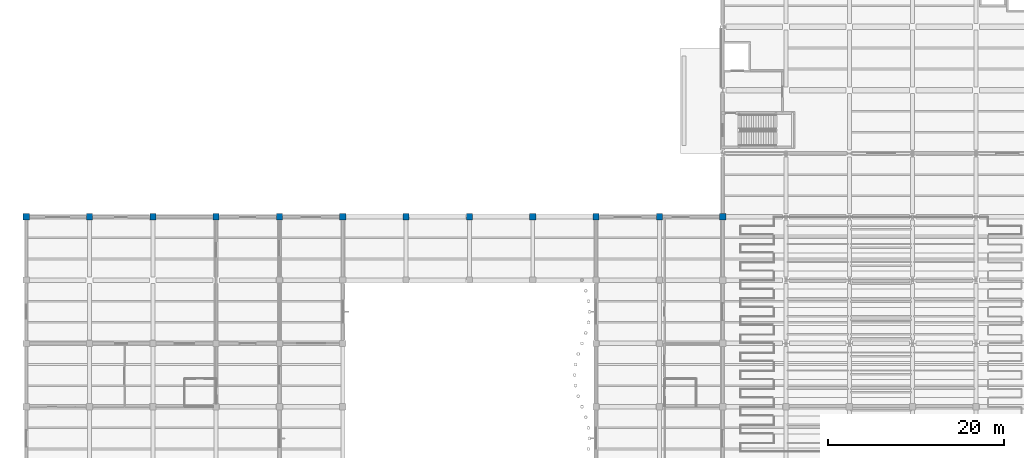
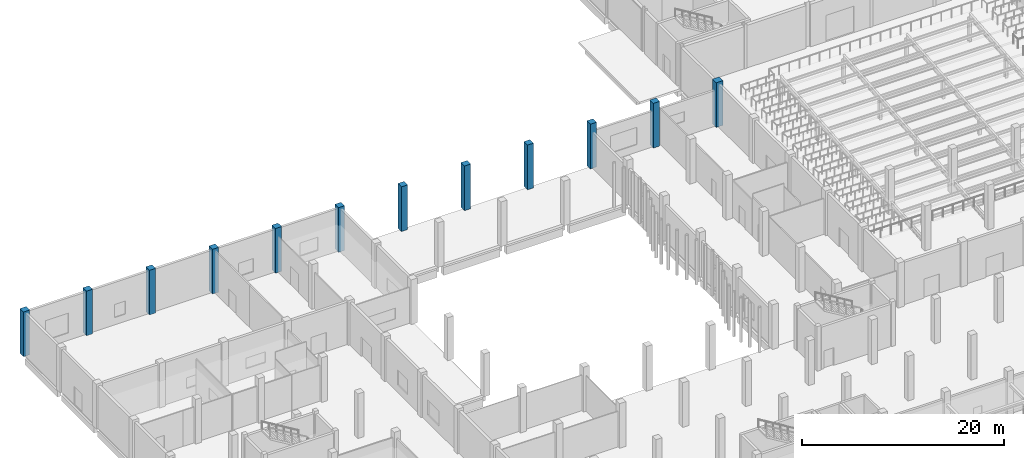
# One storey, part 8 of 46: 12 columns.
"""IFC4 building model written with IfcOpenShell, lengths in metres."""

from ifc_helpers import new_model, si_unit, direction, frame, origin, origin_2d, place, context, subcontext, project, spatial, rectangle, extrude, material, material_profile, profile_set, type_object, element, save


model = new_model("IFC4")

# Units and contexts
model_context = context("Model", 3, precision=1e-05, world=origin(), true_north=direction((0.0, 1.0)))
body_context = subcontext(model_context, "Body", "Model", "MODEL_VIEW")
ifc_project = project(units=[si_unit("LENGTHUNIT", "METRE"), si_unit("AREAUNIT", "SQUARE_METRE"), si_unit("VOLUMEUNIT", "CUBIC_METRE"), si_unit("PLANEANGLEUNIT", "RADIAN"), si_unit("MASSUNIT", "GRAM", prefix="KILO"), si_unit("THERMODYNAMICTEMPERATUREUNIT", "KELVIN"), si_unit("POWERUNIT", "WATT")], contexts=[model_context])

# Site, building, storey
site_placement = place(None, origin())
site = spatial("IfcSite", under=ifc_project, at=site_placement, CompositionType="ELEMENT")
building_placement = place(site_placement, origin())
building = spatial("IfcBuilding", under=site, at=building_placement, Name="Kaldorven Railside Theatre", CompositionType="ELEMENT")
storey_placement = place(building_placement, origin())
storey = spatial("IfcBuildingStorey", under=building, at=storey_placement, Name="L00", CompositionType="ELEMENT", Elevation=0.0)

# Columns
ifc_material = material(Name="Concrete C40/50", Category="concrete")
ifc_material_profile_1 = material_profile(ifc_material, rectangle(XDim=0.699951171875, YDim=0.699951171875, at=origin_2d()), Name="RC 700x700")
ifc_profile_set_1 = profile_set([ifc_material_profile_1], Name="Concrete C40/50")
column_type_1 = type_object("IfcColumnType", Name="COL-RC700", PredefinedType="COLUMN", material=ifc_profile_set_1)
for number, where, z_axis, x_axis, name in (
    (1, (8.0, 76.800048828125, 0.0), (0.0, 0.0, 1.0), (1.0, 0.0, 0.0), "L00 Column CG-L00-008-076"),
    (2, (15.199951171875, 76.800048828125, 0.0), (0.0, 0.0, 1.0), (1.0, 0.0, 0.0), "L00 Column CG-L00-015-076"),
    (3, (22.39990234375, 76.800048828125, 0.0), (0.0, 0.0, 1.0), (0.0, 1.0, 0.0), "L00 Column CG-L00-022-076"),
    (4, (29.60009765625, 76.800048828125, 0.0), (0.0, 0.0, 1.0), (1.0, 0.0, 0.0), "L00 Column CG-L00-029-076"),
    (5, (36.800048828125, 76.800048828125, 0.0), (0.0, 0.0, 1.0), (0.0, 1.0, 0.0), "L00 Column CG-L00-036-076"),
    (6, (44.0, 76.800048828125, 0.0), (0.0, 0.0, 1.0), (1.0, 0.0, 0.0), "L00 Column CG-L00-044-076"),
    (7, (51.199951171875, 76.800048828125, 0.0), (0.0, 0.0, 1.0), (1.0, 0.0, 0.0), "L00 Column CG-L00-051-076"),
    (8, (58.39990234375, 76.800048828125, 0.0), (0.0, 0.0, 1.0), (0.0, 1.0, 0.0), "L00 Column CG-L00-058-076"),
    (9, (65.60009765625, 76.800048828125, 0.0), (0.0, 0.0, 1.0), (1.0, 0.0, 0.0), "L00 Column CG-L00-065-076"),
    (10, (72.800048828125, 76.800048828125, 0.0), (0.0, 0.0, 1.0), (0.0, 1.0, 0.0), "L00 Column CG-L00-072-076"),
    (11, (80.0, 76.800048828125, 0.0), (0.0, 0.0, 1.0), (1.0, 0.0, 0.0), "L00 Column CG-L00-080-076"),
):
    element("IfcColumn", number, at=place(storey_placement, frame(where, z_axis=z_axis, x_axis=x_axis)), inside=storey, type_object=column_type_1, Name=name, PredefinedType="COLUMN", context=body_context, shape_type="SweptSolid", body=[
        extrude(rectangle(XDim=0.699951171875, YDim=0.699951171875, at=origin_2d()), origin(), (0.0, 0.0, 1.0), 5.39990234375),
    ])
ifc_material_profile_2 = material_profile(ifc_material, rectangle(XDim=0.75, YDim=0.75, at=origin_2d()), Name="RC 750x750")
ifc_profile_set_2 = profile_set([ifc_material_profile_2], Name="Concrete C40/50")
column_type_2 = type_object("IfcColumnType", Name="COL-RC750", PredefinedType="COLUMN", material=ifc_profile_set_2)
column_placement = place(storey_placement, frame((87.199951171875, 76.800048828125, 0.0), z_axis=(0.0, 0.0, 1.0), x_axis=(1.0, 0.0, 0.0)))
element("IfcColumn", 12, at=column_placement, inside=storey, type_object=column_type_2, Name="L00 Column CG-L00-087-076", PredefinedType="COLUMN", context=body_context, shape_type="SweptSolid", body=[
    extrude(rectangle(XDim=0.75, YDim=0.75, at=origin_2d()), origin(), (0.0, 0.0, 1.0), 5.39990234375),
])

save(model, "model.ifc")
